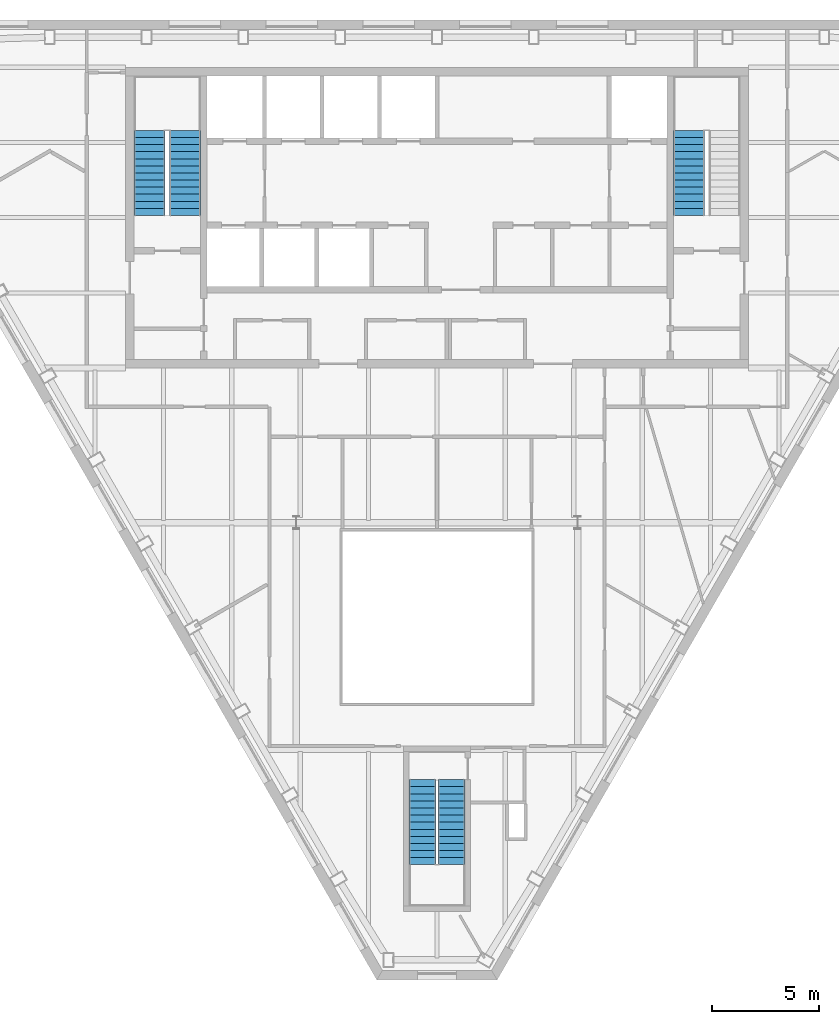
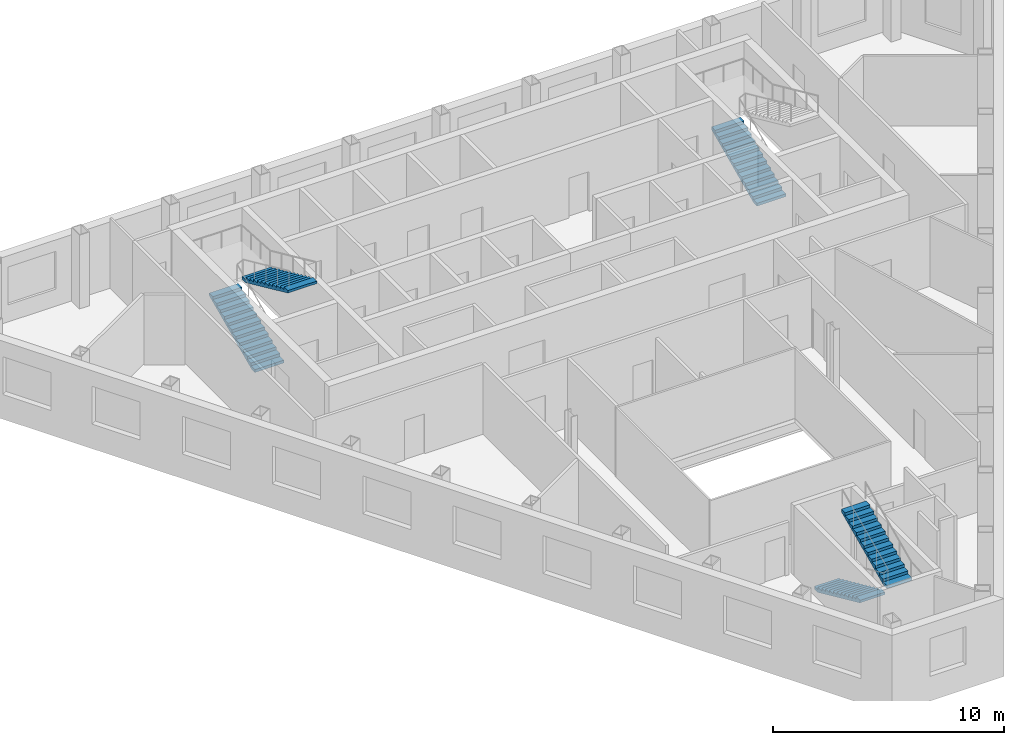
# One storey, part 8 of 10: 5 stair flights, 3 elements without a shape of their own.
"""IFC4 building model written with IfcOpenShell, lengths in metres."""

from ifc_helpers import new_model, si_unit, direction, frame, origin, place, context, subcontext, project, spatial, polygons, material, type_object, element, aggregate, save


model = new_model("IFC4")

# Units and contexts
model_context = context("Model", 3, precision=1e-05, world=origin(), true_north=direction((0.0, 1.0)))
body_context = subcontext(model_context, "Body", "Model", "MODEL_VIEW")
ifc_project = project(units=[si_unit("LENGTHUNIT", "METRE"), si_unit("AREAUNIT", "SQUARE_METRE"), si_unit("VOLUMEUNIT", "CUBIC_METRE"), si_unit("PLANEANGLEUNIT", "RADIAN"), si_unit("MASSUNIT", "GRAM", prefix="KILO")], contexts=[model_context])

# Site, building, storey
site_placement = place(None, origin())
site = spatial("IfcSite", under=ifc_project, at=site_placement, CompositionType="ELEMENT")
building_placement = place(site_placement, origin())
building = spatial("IfcBuilding", under=site, at=building_placement, Name="Njiva Tower", CompositionType="ELEMENT")
storey_placement = place(building_placement, frame((0.0, 0.0, 276.6)))
storey = spatial("IfcBuildingStorey", under=building, at=storey_placement, Name="L63", CompositionType="ELEMENT", Elevation=276.6)

# Stair, stair flights
ifc_material = material(Name="Concrete C40/50", Category="concrete")
stair_type_1 = type_object("IfcStairType", Name="ST1 Exit stair 1250", PredefinedType="HALF_TURN_STAIR", material=ifc_material)
stair_1_placement = place(storey_placement, origin())
stair_1 = element("IfcStair", 1, at=stair_1_placement, inside=storey, type_object=stair_type_1, Name="Stair C", PredefinedType="HALF_TURN_STAIR")
stair_flight_type_1 = type_object("IfcStairFlightType", Name="FL1 Stair flight 1250", PredefinedType="STRAIGHT", material=ifc_material)
stair_flight_1_placement = place(storey_placement, frame((-0.675, -15.16, 0.0), z_axis=(0.0, 0.0, 1.0), x_axis=(0.0, -1.0, 0.0)))
stair_flight_1 = element("IfcStairFlight", 2, at=stair_flight_1_placement, type_object=stair_flight_type_1, Name="ST-C flight 1", NumberOfRisers=13, NumberOfTreads=12, PredefinedType="STRAIGHT", RiserHeight=0.15, TreadLength=0.33, context=body_context, shape_type="Tessellation", body=[
    polygons([(0.0, 0.625, 0.0), (0.0, 0.3125, 0.0), (0.0, 0.0, 0.0), (0.0, -0.3125, 0.0), (0.0, -0.625, 0.0), (0.0, 0.625, 0.15), (0.0, 0.3125, 0.15), (0.0, 0.0, 0.15), (0.0, -0.3125, 0.15), (0.0, -0.625, 0.15), (0.33, 0.625, 0.15), (0.33, 0.3125, 0.15), (0.33, 0.0, 0.15), (0.33, -0.3125, 0.15), (0.33, -0.625, 0.15), (0.33, 0.625, 0.3), (0.33, 0.3125, 0.3), (0.33, 0.0, 0.3), (0.33, -0.3125, 0.3), (0.33, -0.625, 0.3), (0.66, 0.625, 0.3), (0.66, 0.3125, 0.3), (0.66, 0.0, 0.3), (0.66, -0.3125, 0.3), (0.66, -0.625, 0.3), (0.66, 0.625, 0.45), (0.66, 0.3125, 0.45), (0.66, 0.0, 0.45), (0.66, -0.3125, 0.45), (0.66, -0.625, 0.45), (0.99, 0.625, 0.45), (0.99, 0.3125, 0.45), (0.99, 0.0, 0.45), (0.99, -0.3125, 0.45), (0.99, -0.625, 0.45), (0.99, 0.625, 0.6), (0.99, 0.3125, 0.6), (0.99, 0.0, 0.6), (0.99, -0.3125, 0.6), (0.99, -0.625, 0.6), (1.32, 0.625, 0.6), (1.32, 0.3125, 0.6), (1.32, 0.0, 0.6), (1.32, -0.3125, 0.6), (1.32, -0.625, 0.6), (1.32, 0.625, 0.75), (1.32, 0.3125, 0.75), (1.32, 0.0, 0.75), (1.32, -0.3125, 0.75), (1.32, -0.625, 0.75), (1.65, 0.625, 0.75), (1.65, 0.3125, 0.75), (1.65, 0.0, 0.75), (1.65, -0.3125, 0.75), (1.65, -0.625, 0.75), (1.65, 0.625, 0.9), (1.65, 0.3125, 0.9), (1.65, 0.0, 0.9), (1.65, -0.3125, 0.9), (1.65, -0.625, 0.9), (1.98, 0.625, 0.9), (1.98, 0.3125, 0.9), (1.98, 0.0, 0.9), (1.98, -0.3125, 0.9), (1.98, -0.625, 0.9), (1.98, 0.625, 1.05), (1.98, 0.3125, 1.05), (1.98, 0.0, 1.05), (1.98, -0.3125, 1.05), (1.98, -0.625, 1.05), (2.31, 0.625, 1.05), (2.31, 0.3125, 1.05), (2.31, 0.0, 1.05), (2.31, -0.3125, 1.05), (2.31, -0.625, 1.05), (2.31, 0.625, 1.2), (2.31, 0.3125, 1.2), (2.31, 0.0, 1.2), (2.31, -0.3125, 1.2), (2.31, -0.625, 1.2), (2.64, 0.625, 1.2), (2.64, 0.3125, 1.2), (2.64, 0.0, 1.2), (2.64, -0.3125, 1.2), (2.64, -0.625, 1.2), (2.64, 0.625, 1.35), (2.64, 0.3125, 1.35), (2.64, 0.0, 1.35), (2.64, -0.3125, 1.35), (2.64, -0.625, 1.35), (2.97, 0.625, 1.35), (2.97, 0.3125, 1.35), (2.97, 0.0, 1.35), (2.97, -0.3125, 1.35), (2.97, -0.625, 1.35), (2.97, 0.625, 1.5), (2.97, 0.3125, 1.5), (2.97, 0.0, 1.5), (2.97, -0.3125, 1.5), (2.97, -0.625, 1.5), (3.3, 0.625, 1.5), (3.3, 0.3125, 1.5), (3.3, 0.0, 1.5), (3.3, -0.3125, 1.5), (3.3, -0.625, 1.5), (3.3, 0.625, 1.65), (3.3, 0.3125, 1.65), (3.3, 0.0, 1.65), (3.3, -0.3125, 1.65), (3.3, -0.625, 1.65), (3.63, 0.625, 1.65), (3.63, 0.3125, 1.65), (3.63, 0.0, 1.65), (3.63, -0.3125, 1.65), (3.63, -0.625, 1.65), (3.63, 0.625, 1.8), (3.63, 0.3125, 1.8), (3.63, 0.0, 1.8), (3.63, -0.3125, 1.8), (3.63, -0.625, 1.8), (3.96, 0.625, 1.8), (3.96, 0.3125, 1.8), (3.96, 0.0, 1.8), (3.96, -0.3125, 1.8), (3.96, -0.625, 1.8), (3.96, 0.625, 1.6682), (3.96, 0.3125, 1.6682), (3.96, 0.0, 1.6682), (3.96, -0.3125, 1.6682), (3.96, -0.625, 1.6682), (0.29, 0.625, 0.0), (0.29, 0.3125, 0.0), (0.29, 0.0, 0.0), (0.29, -0.3125, 0.0), (0.29, -0.625, 0.0)], [[[1, 6, 11, 16, 21, 26, 31, 36, 41, 46, 51, 56, 61, 66, 71, 76, 81, 86, 91, 96, 101, 106, 111, 116, 121, 126, 131]], [[135, 130, 125, 120, 115, 110, 105, 100, 95, 90, 85, 80, 75, 70, 65, 60, 55, 50, 45, 40, 35, 30, 25, 20, 15, 10, 5]], [[6, 1, 2, 7]], [[7, 2, 3, 8]], [[8, 3, 4, 9]], [[9, 4, 5, 10]], [[11, 6, 7, 12]], [[12, 7, 8, 13]], [[13, 8, 9, 14]], [[14, 9, 10, 15]], [[16, 11, 12, 17]], [[17, 12, 13, 18]], [[18, 13, 14, 19]], [[19, 14, 15, 20]], [[21, 16, 17, 22]], [[22, 17, 18, 23]], [[23, 18, 19, 24]], [[24, 19, 20, 25]], [[26, 21, 22, 27]], [[27, 22, 23, 28]], [[28, 23, 24, 29]], [[29, 24, 25, 30]], [[31, 26, 27, 32]], [[32, 27, 28, 33]], [[33, 28, 29, 34]], [[34, 29, 30, 35]], [[36, 31, 32, 37]], [[37, 32, 33, 38]], [[38, 33, 34, 39]], [[39, 34, 35, 40]], [[41, 36, 37, 42]], [[42, 37, 38, 43]], [[43, 38, 39, 44]], [[44, 39, 40, 45]], [[46, 41, 42, 47]], [[47, 42, 43, 48]], [[48, 43, 44, 49]], [[49, 44, 45, 50]], [[51, 46, 47, 52]], [[52, 47, 48, 53]], [[53, 48, 49, 54]], [[54, 49, 50, 55]], [[56, 51, 52, 57]], [[57, 52, 53, 58]], [[58, 53, 54, 59]], [[59, 54, 55, 60]], [[61, 56, 57, 62]], [[62, 57, 58, 63]], [[63, 58, 59, 64]], [[64, 59, 60, 65]], [[66, 61, 62, 67]], [[67, 62, 63, 68]], [[68, 63, 64, 69]], [[69, 64, 65, 70]], [[71, 66, 67, 72]], [[72, 67, 68, 73]], [[73, 68, 69, 74]], [[74, 69, 70, 75]], [[76, 71, 72, 77]], [[77, 72, 73, 78]], [[78, 73, 74, 79]], [[79, 74, 75, 80]], [[81, 76, 77, 82]], [[82, 77, 78, 83]], [[83, 78, 79, 84]], [[84, 79, 80, 85]], [[86, 81, 82, 87]], [[87, 82, 83, 88]], [[88, 83, 84, 89]], [[89, 84, 85, 90]], [[91, 86, 87, 92]], [[92, 87, 88, 93]], [[93, 88, 89, 94]], [[94, 89, 90, 95]], [[96, 91, 92, 97]], [[97, 92, 93, 98]], [[98, 93, 94, 99]], [[99, 94, 95, 100]], [[101, 96, 97, 102]], [[102, 97, 98, 103]], [[103, 98, 99, 104]], [[104, 99, 100, 105]], [[106, 101, 102, 107]], [[107, 102, 103, 108]], [[108, 103, 104, 109]], [[109, 104, 105, 110]], [[111, 106, 107, 112]], [[112, 107, 108, 113]], [[113, 108, 109, 114]], [[114, 109, 110, 115]], [[116, 111, 112, 117]], [[117, 112, 113, 118]], [[118, 113, 114, 119]], [[119, 114, 115, 120]], [[121, 116, 117, 122]], [[122, 117, 118, 123]], [[123, 118, 119, 124]], [[124, 119, 120, 125]], [[126, 121, 122, 127]], [[127, 122, 123, 128]], [[128, 123, 124, 129]], [[129, 124, 125, 130]], [[131, 126, 127, 132]], [[132, 127, 128, 133]], [[133, 128, 129, 134]], [[134, 129, 130, 135]], [[1, 131, 132, 2]], [[2, 132, 133, 3]], [[3, 133, 134, 4]], [[4, 134, 135, 5]]], closed=True),
])
stair_flight_2_placement = place(storey_placement, frame((0.675, -19.12, 1.95), z_axis=(0.0, 0.0, 1.0), x_axis=(0.0, 1.0, 0.0)))
stair_flight_2 = element("IfcStairFlight", 3, at=stair_flight_2_placement, type_object=stair_flight_type_1, Name="ST-C flight 2", NumberOfRisers=13, NumberOfTreads=12, PredefinedType="STRAIGHT", RiserHeight=0.15, TreadLength=0.33, context=body_context, shape_type="Tessellation", body=[
    polygons([(0.0, 0.625, 0.0), (0.0, 0.3125, 0.0), (0.0, 0.0, 0.0), (0.0, -0.3125, 0.0), (0.0, -0.625, 0.0), (0.0, 0.625, 0.15), (0.0, 0.3125, 0.15), (0.0, 0.0, 0.15), (0.0, -0.3125, 0.15), (0.0, -0.625, 0.15), (0.33, 0.625, 0.15), (0.33, 0.3125, 0.15), (0.33, 0.0, 0.15), (0.33, -0.3125, 0.15), (0.33, -0.625, 0.15), (0.33, 0.625, 0.3), (0.33, 0.3125, 0.3), (0.33, 0.0, 0.3), (0.33, -0.3125, 0.3), (0.33, -0.625, 0.3), (0.66, 0.625, 0.3), (0.66, 0.3125, 0.3), (0.66, 0.0, 0.3), (0.66, -0.3125, 0.3), (0.66, -0.625, 0.3), (0.66, 0.625, 0.45), (0.66, 0.3125, 0.45), (0.66, 0.0, 0.45), (0.66, -0.3125, 0.45), (0.66, -0.625, 0.45), (0.99, 0.625, 0.45), (0.99, 0.3125, 0.45), (0.99, 0.0, 0.45), (0.99, -0.3125, 0.45), (0.99, -0.625, 0.45), (0.99, 0.625, 0.6), (0.99, 0.3125, 0.6), (0.99, 0.0, 0.6), (0.99, -0.3125, 0.6), (0.99, -0.625, 0.6), (1.32, 0.625, 0.6), (1.32, 0.3125, 0.6), (1.32, 0.0, 0.6), (1.32, -0.3125, 0.6), (1.32, -0.625, 0.6), (1.32, 0.625, 0.75), (1.32, 0.3125, 0.75), (1.32, 0.0, 0.75), (1.32, -0.3125, 0.75), (1.32, -0.625, 0.75), (1.65, 0.625, 0.75), (1.65, 0.3125, 0.75), (1.65, 0.0, 0.75), (1.65, -0.3125, 0.75), (1.65, -0.625, 0.75), (1.65, 0.625, 0.9), (1.65, 0.3125, 0.9), (1.65, 0.0, 0.9), (1.65, -0.3125, 0.9), (1.65, -0.625, 0.9), (1.98, 0.625, 0.9), (1.98, 0.3125, 0.9), (1.98, 0.0, 0.9), (1.98, -0.3125, 0.9), (1.98, -0.625, 0.9), (1.98, 0.625, 1.05), (1.98, 0.3125, 1.05), (1.98, 0.0, 1.05), (1.98, -0.3125, 1.05), (1.98, -0.625, 1.05), (2.31, 0.625, 1.05), (2.31, 0.3125, 1.05), (2.31, 0.0, 1.05), (2.31, -0.3125, 1.05), (2.31, -0.625, 1.05), (2.31, 0.625, 1.2), (2.31, 0.3125, 1.2), (2.31, 0.0, 1.2), (2.31, -0.3125, 1.2), (2.31, -0.625, 1.2), (2.64, 0.625, 1.2), (2.64, 0.3125, 1.2), (2.64, 0.0, 1.2), (2.64, -0.3125, 1.2), (2.64, -0.625, 1.2), (2.64, 0.625, 1.35), (2.64, 0.3125, 1.35), (2.64, 0.0, 1.35), (2.64, -0.3125, 1.35), (2.64, -0.625, 1.35), (2.97, 0.625, 1.35), (2.97, 0.3125, 1.35), (2.97, 0.0, 1.35), (2.97, -0.3125, 1.35), (2.97, -0.625, 1.35), (2.97, 0.625, 1.5), (2.97, 0.3125, 1.5), (2.97, 0.0, 1.5), (2.97, -0.3125, 1.5), (2.97, -0.625, 1.5), (3.3, 0.625, 1.5), (3.3, 0.3125, 1.5), (3.3, 0.0, 1.5), (3.3, -0.3125, 1.5), (3.3, -0.625, 1.5), (3.3, 0.625, 1.65), (3.3, 0.3125, 1.65), (3.3, 0.0, 1.65), (3.3, -0.3125, 1.65), (3.3, -0.625, 1.65), (3.63, 0.625, 1.65), (3.63, 0.3125, 1.65), (3.63, 0.0, 1.65), (3.63, -0.3125, 1.65), (3.63, -0.625, 1.65), (3.63, 0.625, 1.8), (3.63, 0.3125, 1.8), (3.63, 0.0, 1.8), (3.63, -0.3125, 1.8), (3.63, -0.625, 1.8), (3.96, 0.625, 1.8), (3.96, 0.3125, 1.8), (3.96, 0.0, 1.8), (3.96, -0.3125, 1.8), (3.96, -0.625, 1.8), (3.96, 0.625, 1.6682), (3.96, 0.3125, 1.6682), (3.96, 0.0, 1.6682), (3.96, -0.3125, 1.6682), (3.96, -0.625, 1.6682), (0.29, 0.625, 0.0), (0.29, 0.3125, 0.0), (0.29, 0.0, 0.0), (0.29, -0.3125, 0.0), (0.29, -0.625, 0.0)], [[[1, 6, 11, 16, 21, 26, 31, 36, 41, 46, 51, 56, 61, 66, 71, 76, 81, 86, 91, 96, 101, 106, 111, 116, 121, 126, 131]], [[135, 130, 125, 120, 115, 110, 105, 100, 95, 90, 85, 80, 75, 70, 65, 60, 55, 50, 45, 40, 35, 30, 25, 20, 15, 10, 5]], [[6, 1, 2, 7]], [[7, 2, 3, 8]], [[8, 3, 4, 9]], [[9, 4, 5, 10]], [[11, 6, 7, 12]], [[12, 7, 8, 13]], [[13, 8, 9, 14]], [[14, 9, 10, 15]], [[16, 11, 12, 17]], [[17, 12, 13, 18]], [[18, 13, 14, 19]], [[19, 14, 15, 20]], [[21, 16, 17, 22]], [[22, 17, 18, 23]], [[23, 18, 19, 24]], [[24, 19, 20, 25]], [[26, 21, 22, 27]], [[27, 22, 23, 28]], [[28, 23, 24, 29]], [[29, 24, 25, 30]], [[31, 26, 27, 32]], [[32, 27, 28, 33]], [[33, 28, 29, 34]], [[34, 29, 30, 35]], [[36, 31, 32, 37]], [[37, 32, 33, 38]], [[38, 33, 34, 39]], [[39, 34, 35, 40]], [[41, 36, 37, 42]], [[42, 37, 38, 43]], [[43, 38, 39, 44]], [[44, 39, 40, 45]], [[46, 41, 42, 47]], [[47, 42, 43, 48]], [[48, 43, 44, 49]], [[49, 44, 45, 50]], [[51, 46, 47, 52]], [[52, 47, 48, 53]], [[53, 48, 49, 54]], [[54, 49, 50, 55]], [[56, 51, 52, 57]], [[57, 52, 53, 58]], [[58, 53, 54, 59]], [[59, 54, 55, 60]], [[61, 56, 57, 62]], [[62, 57, 58, 63]], [[63, 58, 59, 64]], [[64, 59, 60, 65]], [[66, 61, 62, 67]], [[67, 62, 63, 68]], [[68, 63, 64, 69]], [[69, 64, 65, 70]], [[71, 66, 67, 72]], [[72, 67, 68, 73]], [[73, 68, 69, 74]], [[74, 69, 70, 75]], [[76, 71, 72, 77]], [[77, 72, 73, 78]], [[78, 73, 74, 79]], [[79, 74, 75, 80]], [[81, 76, 77, 82]], [[82, 77, 78, 83]], [[83, 78, 79, 84]], [[84, 79, 80, 85]], [[86, 81, 82, 87]], [[87, 82, 83, 88]], [[88, 83, 84, 89]], [[89, 84, 85, 90]], [[91, 86, 87, 92]], [[92, 87, 88, 93]], [[93, 88, 89, 94]], [[94, 89, 90, 95]], [[96, 91, 92, 97]], [[97, 92, 93, 98]], [[98, 93, 94, 99]], [[99, 94, 95, 100]], [[101, 96, 97, 102]], [[102, 97, 98, 103]], [[103, 98, 99, 104]], [[104, 99, 100, 105]], [[106, 101, 102, 107]], [[107, 102, 103, 108]], [[108, 103, 104, 109]], [[109, 104, 105, 110]], [[111, 106, 107, 112]], [[112, 107, 108, 113]], [[113, 108, 109, 114]], [[114, 109, 110, 115]], [[116, 111, 112, 117]], [[117, 112, 113, 118]], [[118, 113, 114, 119]], [[119, 114, 115, 120]], [[121, 116, 117, 122]], [[122, 117, 118, 123]], [[123, 118, 119, 124]], [[124, 119, 120, 125]], [[126, 121, 122, 127]], [[127, 122, 123, 128]], [[128, 123, 124, 129]], [[129, 124, 125, 130]], [[131, 126, 127, 132]], [[132, 127, 128, 133]], [[133, 128, 129, 134]], [[134, 129, 130, 135]], [[1, 131, 132, 2]], [[2, 132, 133, 3]], [[3, 133, 134, 4]], [[4, 134, 135, 5]]], closed=True),
])
aggregate(stair_1, [stair_flight_1, stair_flight_2])

stair_type_2 = type_object("IfcStairType", Name="ST3 Exit stair 1450", PredefinedType="HALF_TURN_STAIR", material=ifc_material)
stair_2_placement = place(storey_placement, origin())
stair_2 = element("IfcStair", 4, at=stair_2_placement, inside=storey, type_object=stair_type_2, Name="Stair A", PredefinedType="HALF_TURN_STAIR")
stair_flight_type_2 = type_object("IfcStairFlightType", Name="FL3 Stair flight 1450", PredefinedType="STRAIGHT", material=ifc_material)
stair_flight_3_placement = place(storey_placement, frame((-13.375, 11.1, 0.0), z_axis=(0.0, 0.0, 1.0), x_axis=(0.0, 1.0, 0.0)))
stair_flight_3 = element("IfcStairFlight", 5, at=stair_flight_3_placement, type_object=stair_flight_type_2, Name="ST-A flight 1", NumberOfRisers=13, NumberOfTreads=12, PredefinedType="STRAIGHT", RiserHeight=0.15, TreadLength=0.33, context=body_context, shape_type="Tessellation", body=[
    polygons([(0.0, 0.725, 0.0), (0.0, 0.3625, 0.0), (0.0, 0.0, 0.0), (0.0, -0.3625, 0.0), (0.0, -0.725, 0.0), (0.0, 0.725, 0.15), (0.0, 0.3625, 0.15), (0.0, 0.0, 0.15), (0.0, -0.3625, 0.15), (0.0, -0.725, 0.15), (0.33, 0.725, 0.15), (0.33, 0.3625, 0.15), (0.33, 0.0, 0.15), (0.33, -0.3625, 0.15), (0.33, -0.725, 0.15), (0.33, 0.725, 0.3), (0.33, 0.3625, 0.3), (0.33, 0.0, 0.3), (0.33, -0.3625, 0.3), (0.33, -0.725, 0.3), (0.66, 0.725, 0.3), (0.66, 0.3625, 0.3), (0.66, 0.0, 0.3), (0.66, -0.3625, 0.3), (0.66, -0.725, 0.3), (0.66, 0.725, 0.45), (0.66, 0.3625, 0.45), (0.66, 0.0, 0.45), (0.66, -0.3625, 0.45), (0.66, -0.725, 0.45), (0.99, 0.725, 0.45), (0.99, 0.3625, 0.45), (0.99, 0.0, 0.45), (0.99, -0.3625, 0.45), (0.99, -0.725, 0.45), (0.99, 0.725, 0.6), (0.99, 0.3625, 0.6), (0.99, 0.0, 0.6), (0.99, -0.3625, 0.6), (0.99, -0.725, 0.6), (1.32, 0.725, 0.6), (1.32, 0.3625, 0.6), (1.32, 0.0, 0.6), (1.32, -0.3625, 0.6), (1.32, -0.725, 0.6), (1.32, 0.725, 0.75), (1.32, 0.3625, 0.75), (1.32, 0.0, 0.75), (1.32, -0.3625, 0.75), (1.32, -0.725, 0.75), (1.65, 0.725, 0.75), (1.65, 0.3625, 0.75), (1.65, 0.0, 0.75), (1.65, -0.3625, 0.75), (1.65, -0.725, 0.75), (1.65, 0.725, 0.9), (1.65, 0.3625, 0.9), (1.65, 0.0, 0.9), (1.65, -0.3625, 0.9), (1.65, -0.725, 0.9), (1.98, 0.725, 0.9), (1.98, 0.3625, 0.9), (1.98, 0.0, 0.9), (1.98, -0.3625, 0.9), (1.98, -0.725, 0.9), (1.98, 0.725, 1.05), (1.98, 0.3625, 1.05), (1.98, 0.0, 1.05), (1.98, -0.3625, 1.05), (1.98, -0.725, 1.05), (2.31, 0.725, 1.05), (2.31, 0.3625, 1.05), (2.31, 0.0, 1.05), (2.31, -0.3625, 1.05), (2.31, -0.725, 1.05), (2.31, 0.725, 1.2), (2.31, 0.3625, 1.2), (2.31, 0.0, 1.2), (2.31, -0.3625, 1.2), (2.31, -0.725, 1.2), (2.64, 0.725, 1.2), (2.64, 0.3625, 1.2), (2.64, 0.0, 1.2), (2.64, -0.3625, 1.2), (2.64, -0.725, 1.2), (2.64, 0.725, 1.35), (2.64, 0.3625, 1.35), (2.64, 0.0, 1.35), (2.64, -0.3625, 1.35), (2.64, -0.725, 1.35), (2.97, 0.725, 1.35), (2.97, 0.3625, 1.35), (2.97, 0.0, 1.35), (2.97, -0.3625, 1.35), (2.97, -0.725, 1.35), (2.97, 0.725, 1.5), (2.97, 0.3625, 1.5), (2.97, 0.0, 1.5), (2.97, -0.3625, 1.5), (2.97, -0.725, 1.5), (3.3, 0.725, 1.5), (3.3, 0.3625, 1.5), (3.3, 0.0, 1.5), (3.3, -0.3625, 1.5), (3.3, -0.725, 1.5), (3.3, 0.725, 1.65), (3.3, 0.3625, 1.65), (3.3, 0.0, 1.65), (3.3, -0.3625, 1.65), (3.3, -0.725, 1.65), (3.63, 0.725, 1.65), (3.63, 0.3625, 1.65), (3.63, 0.0, 1.65), (3.63, -0.3625, 1.65), (3.63, -0.725, 1.65), (3.63, 0.725, 1.8), (3.63, 0.3625, 1.8), (3.63, 0.0, 1.8), (3.63, -0.3625, 1.8), (3.63, -0.725, 1.8), (3.96, 0.725, 1.8), (3.96, 0.3625, 1.8), (3.96, 0.0, 1.8), (3.96, -0.3625, 1.8), (3.96, -0.725, 1.8), (3.96, 0.725, 1.6682), (3.96, 0.3625, 1.6682), (3.96, 0.0, 1.6682), (3.96, -0.3625, 1.6682), (3.96, -0.725, 1.6682), (0.29, 0.725, 0.0), (0.29, 0.3625, 0.0), (0.29, 0.0, 0.0), (0.29, -0.3625, 0.0), (0.29, -0.725, 0.0)], [[[1, 6, 11, 16, 21, 26, 31, 36, 41, 46, 51, 56, 61, 66, 71, 76, 81, 86, 91, 96, 101, 106, 111, 116, 121, 126, 131]], [[135, 130, 125, 120, 115, 110, 105, 100, 95, 90, 85, 80, 75, 70, 65, 60, 55, 50, 45, 40, 35, 30, 25, 20, 15, 10, 5]], [[6, 1, 2, 7]], [[7, 2, 3, 8]], [[8, 3, 4, 9]], [[9, 4, 5, 10]], [[11, 6, 7, 12]], [[12, 7, 8, 13]], [[13, 8, 9, 14]], [[14, 9, 10, 15]], [[16, 11, 12, 17]], [[17, 12, 13, 18]], [[18, 13, 14, 19]], [[19, 14, 15, 20]], [[21, 16, 17, 22]], [[22, 17, 18, 23]], [[23, 18, 19, 24]], [[24, 19, 20, 25]], [[26, 21, 22, 27]], [[27, 22, 23, 28]], [[28, 23, 24, 29]], [[29, 24, 25, 30]], [[31, 26, 27, 32]], [[32, 27, 28, 33]], [[33, 28, 29, 34]], [[34, 29, 30, 35]], [[36, 31, 32, 37]], [[37, 32, 33, 38]], [[38, 33, 34, 39]], [[39, 34, 35, 40]], [[41, 36, 37, 42]], [[42, 37, 38, 43]], [[43, 38, 39, 44]], [[44, 39, 40, 45]], [[46, 41, 42, 47]], [[47, 42, 43, 48]], [[48, 43, 44, 49]], [[49, 44, 45, 50]], [[51, 46, 47, 52]], [[52, 47, 48, 53]], [[53, 48, 49, 54]], [[54, 49, 50, 55]], [[56, 51, 52, 57]], [[57, 52, 53, 58]], [[58, 53, 54, 59]], [[59, 54, 55, 60]], [[61, 56, 57, 62]], [[62, 57, 58, 63]], [[63, 58, 59, 64]], [[64, 59, 60, 65]], [[66, 61, 62, 67]], [[67, 62, 63, 68]], [[68, 63, 64, 69]], [[69, 64, 65, 70]], [[71, 66, 67, 72]], [[72, 67, 68, 73]], [[73, 68, 69, 74]], [[74, 69, 70, 75]], [[76, 71, 72, 77]], [[77, 72, 73, 78]], [[78, 73, 74, 79]], [[79, 74, 75, 80]], [[81, 76, 77, 82]], [[82, 77, 78, 83]], [[83, 78, 79, 84]], [[84, 79, 80, 85]], [[86, 81, 82, 87]], [[87, 82, 83, 88]], [[88, 83, 84, 89]], [[89, 84, 85, 90]], [[91, 86, 87, 92]], [[92, 87, 88, 93]], [[93, 88, 89, 94]], [[94, 89, 90, 95]], [[96, 91, 92, 97]], [[97, 92, 93, 98]], [[98, 93, 94, 99]], [[99, 94, 95, 100]], [[101, 96, 97, 102]], [[102, 97, 98, 103]], [[103, 98, 99, 104]], [[104, 99, 100, 105]], [[106, 101, 102, 107]], [[107, 102, 103, 108]], [[108, 103, 104, 109]], [[109, 104, 105, 110]], [[111, 106, 107, 112]], [[112, 107, 108, 113]], [[113, 108, 109, 114]], [[114, 109, 110, 115]], [[116, 111, 112, 117]], [[117, 112, 113, 118]], [[118, 113, 114, 119]], [[119, 114, 115, 120]], [[121, 116, 117, 122]], [[122, 117, 118, 123]], [[123, 118, 119, 124]], [[124, 119, 120, 125]], [[126, 121, 122, 127]], [[127, 122, 123, 128]], [[128, 123, 124, 129]], [[129, 124, 125, 130]], [[131, 126, 127, 132]], [[132, 127, 128, 133]], [[133, 128, 129, 134]], [[134, 129, 130, 135]], [[1, 131, 132, 2]], [[2, 132, 133, 3]], [[3, 133, 134, 4]], [[4, 134, 135, 5]]], closed=True),
])
stair_flight_4_placement = place(storey_placement, frame((-11.725, 15.06, 1.95), z_axis=(0.0, 0.0, 1.0), x_axis=(0.0, -1.0, 0.0)))
stair_flight_4 = element("IfcStairFlight", 6, at=stair_flight_4_placement, type_object=stair_flight_type_2, Name="ST-A flight 2", NumberOfRisers=13, NumberOfTreads=12, PredefinedType="STRAIGHT", RiserHeight=0.15, TreadLength=0.33, context=body_context, shape_type="Tessellation", body=[
    polygons([(0.0, 0.725, 0.0), (0.0, 0.3625, 0.0), (0.0, 0.0, 0.0), (0.0, -0.3625, 0.0), (0.0, -0.725, 0.0), (0.0, 0.725, 0.15), (0.0, 0.3625, 0.15), (0.0, 0.0, 0.15), (0.0, -0.3625, 0.15), (0.0, -0.725, 0.15), (0.33, 0.725, 0.15), (0.33, 0.3625, 0.15), (0.33, 0.0, 0.15), (0.33, -0.3625, 0.15), (0.33, -0.725, 0.15), (0.33, 0.725, 0.3), (0.33, 0.3625, 0.3), (0.33, 0.0, 0.3), (0.33, -0.3625, 0.3), (0.33, -0.725, 0.3), (0.66, 0.725, 0.3), (0.66, 0.3625, 0.3), (0.66, 0.0, 0.3), (0.66, -0.3625, 0.3), (0.66, -0.725, 0.3), (0.66, 0.725, 0.45), (0.66, 0.3625, 0.45), (0.66, 0.0, 0.45), (0.66, -0.3625, 0.45), (0.66, -0.725, 0.45), (0.99, 0.725, 0.45), (0.99, 0.3625, 0.45), (0.99, 0.0, 0.45), (0.99, -0.3625, 0.45), (0.99, -0.725, 0.45), (0.99, 0.725, 0.6), (0.99, 0.3625, 0.6), (0.99, 0.0, 0.6), (0.99, -0.3625, 0.6), (0.99, -0.725, 0.6), (1.32, 0.725, 0.6), (1.32, 0.3625, 0.6), (1.32, 0.0, 0.6), (1.32, -0.3625, 0.6), (1.32, -0.725, 0.6), (1.32, 0.725, 0.75), (1.32, 0.3625, 0.75), (1.32, 0.0, 0.75), (1.32, -0.3625, 0.75), (1.32, -0.725, 0.75), (1.65, 0.725, 0.75), (1.65, 0.3625, 0.75), (1.65, 0.0, 0.75), (1.65, -0.3625, 0.75), (1.65, -0.725, 0.75), (1.65, 0.725, 0.9), (1.65, 0.3625, 0.9), (1.65, 0.0, 0.9), (1.65, -0.3625, 0.9), (1.65, -0.725, 0.9), (1.98, 0.725, 0.9), (1.98, 0.3625, 0.9), (1.98, 0.0, 0.9), (1.98, -0.3625, 0.9), (1.98, -0.725, 0.9), (1.98, 0.725, 1.05), (1.98, 0.3625, 1.05), (1.98, 0.0, 1.05), (1.98, -0.3625, 1.05), (1.98, -0.725, 1.05), (2.31, 0.725, 1.05), (2.31, 0.3625, 1.05), (2.31, 0.0, 1.05), (2.31, -0.3625, 1.05), (2.31, -0.725, 1.05), (2.31, 0.725, 1.2), (2.31, 0.3625, 1.2), (2.31, 0.0, 1.2), (2.31, -0.3625, 1.2), (2.31, -0.725, 1.2), (2.64, 0.725, 1.2), (2.64, 0.3625, 1.2), (2.64, 0.0, 1.2), (2.64, -0.3625, 1.2), (2.64, -0.725, 1.2), (2.64, 0.725, 1.35), (2.64, 0.3625, 1.35), (2.64, 0.0, 1.35), (2.64, -0.3625, 1.35), (2.64, -0.725, 1.35), (2.97, 0.725, 1.35), (2.97, 0.3625, 1.35), (2.97, 0.0, 1.35), (2.97, -0.3625, 1.35), (2.97, -0.725, 1.35), (2.97, 0.725, 1.5), (2.97, 0.3625, 1.5), (2.97, 0.0, 1.5), (2.97, -0.3625, 1.5), (2.97, -0.725, 1.5), (3.3, 0.725, 1.5), (3.3, 0.3625, 1.5), (3.3, 0.0, 1.5), (3.3, -0.3625, 1.5), (3.3, -0.725, 1.5), (3.3, 0.725, 1.65), (3.3, 0.3625, 1.65), (3.3, 0.0, 1.65), (3.3, -0.3625, 1.65), (3.3, -0.725, 1.65), (3.63, 0.725, 1.65), (3.63, 0.3625, 1.65), (3.63, 0.0, 1.65), (3.63, -0.3625, 1.65), (3.63, -0.725, 1.65), (3.63, 0.725, 1.8), (3.63, 0.3625, 1.8), (3.63, 0.0, 1.8), (3.63, -0.3625, 1.8), (3.63, -0.725, 1.8), (3.96, 0.725, 1.8), (3.96, 0.3625, 1.8), (3.96, 0.0, 1.8), (3.96, -0.3625, 1.8), (3.96, -0.725, 1.8), (3.96, 0.725, 1.6682), (3.96, 0.3625, 1.6682), (3.96, 0.0, 1.6682), (3.96, -0.3625, 1.6682), (3.96, -0.725, 1.6682), (0.29, 0.725, 0.0), (0.29, 0.3625, 0.0), (0.29, 0.0, 0.0), (0.29, -0.3625, 0.0), (0.29, -0.725, 0.0)], [[[1, 6, 11, 16, 21, 26, 31, 36, 41, 46, 51, 56, 61, 66, 71, 76, 81, 86, 91, 96, 101, 106, 111, 116, 121, 126, 131]], [[135, 130, 125, 120, 115, 110, 105, 100, 95, 90, 85, 80, 75, 70, 65, 60, 55, 50, 45, 40, 35, 30, 25, 20, 15, 10, 5]], [[6, 1, 2, 7]], [[7, 2, 3, 8]], [[8, 3, 4, 9]], [[9, 4, 5, 10]], [[11, 6, 7, 12]], [[12, 7, 8, 13]], [[13, 8, 9, 14]], [[14, 9, 10, 15]], [[16, 11, 12, 17]], [[17, 12, 13, 18]], [[18, 13, 14, 19]], [[19, 14, 15, 20]], [[21, 16, 17, 22]], [[22, 17, 18, 23]], [[23, 18, 19, 24]], [[24, 19, 20, 25]], [[26, 21, 22, 27]], [[27, 22, 23, 28]], [[28, 23, 24, 29]], [[29, 24, 25, 30]], [[31, 26, 27, 32]], [[32, 27, 28, 33]], [[33, 28, 29, 34]], [[34, 29, 30, 35]], [[36, 31, 32, 37]], [[37, 32, 33, 38]], [[38, 33, 34, 39]], [[39, 34, 35, 40]], [[41, 36, 37, 42]], [[42, 37, 38, 43]], [[43, 38, 39, 44]], [[44, 39, 40, 45]], [[46, 41, 42, 47]], [[47, 42, 43, 48]], [[48, 43, 44, 49]], [[49, 44, 45, 50]], [[51, 46, 47, 52]], [[52, 47, 48, 53]], [[53, 48, 49, 54]], [[54, 49, 50, 55]], [[56, 51, 52, 57]], [[57, 52, 53, 58]], [[58, 53, 54, 59]], [[59, 54, 55, 60]], [[61, 56, 57, 62]], [[62, 57, 58, 63]], [[63, 58, 59, 64]], [[64, 59, 60, 65]], [[66, 61, 62, 67]], [[67, 62, 63, 68]], [[68, 63, 64, 69]], [[69, 64, 65, 70]], [[71, 66, 67, 72]], [[72, 67, 68, 73]], [[73, 68, 69, 74]], [[74, 69, 70, 75]], [[76, 71, 72, 77]], [[77, 72, 73, 78]], [[78, 73, 74, 79]], [[79, 74, 75, 80]], [[81, 76, 77, 82]], [[82, 77, 78, 83]], [[83, 78, 79, 84]], [[84, 79, 80, 85]], [[86, 81, 82, 87]], [[87, 82, 83, 88]], [[88, 83, 84, 89]], [[89, 84, 85, 90]], [[91, 86, 87, 92]], [[92, 87, 88, 93]], [[93, 88, 89, 94]], [[94, 89, 90, 95]], [[96, 91, 92, 97]], [[97, 92, 93, 98]], [[98, 93, 94, 99]], [[99, 94, 95, 100]], [[101, 96, 97, 102]], [[102, 97, 98, 103]], [[103, 98, 99, 104]], [[104, 99, 100, 105]], [[106, 101, 102, 107]], [[107, 102, 103, 108]], [[108, 103, 104, 109]], [[109, 104, 105, 110]], [[111, 106, 107, 112]], [[112, 107, 108, 113]], [[113, 108, 109, 114]], [[114, 109, 110, 115]], [[116, 111, 112, 117]], [[117, 112, 113, 118]], [[118, 113, 114, 119]], [[119, 114, 115, 120]], [[121, 116, 117, 122]], [[122, 117, 118, 123]], [[123, 118, 119, 124]], [[124, 119, 120, 125]], [[126, 121, 122, 127]], [[127, 122, 123, 128]], [[128, 123, 124, 129]], [[129, 124, 125, 130]], [[131, 126, 127, 132]], [[132, 127, 128, 133]], [[133, 128, 129, 134]], [[134, 129, 130, 135]], [[1, 131, 132, 2]], [[2, 132, 133, 3]], [[3, 133, 134, 4]], [[4, 134, 135, 5]]], closed=True),
])
aggregate(stair_2, [stair_flight_3, stair_flight_4])

# Stair, stair flight
stair_3_placement = place(storey_placement, origin())
stair_3 = element("IfcStair", 7, at=stair_3_placement, inside=storey, type_object=stair_type_2, Name="Stair B", PredefinedType="HALF_TURN_STAIR")
stair_flight_5_placement = place(storey_placement, frame((11.725, 11.1, 0.0), z_axis=(0.0, 0.0, 1.0), x_axis=(0.0, 1.0, 0.0)))
stair_flight_5 = element("IfcStairFlight", 8, at=stair_flight_5_placement, type_object=stair_flight_type_2, Name="ST-B flight 1", NumberOfRisers=13, NumberOfTreads=12, PredefinedType="STRAIGHT", RiserHeight=0.15, TreadLength=0.33, context=body_context, shape_type="Tessellation", body=[
    polygons([(0.0, 0.725, 0.0), (0.0, 0.3625, 0.0), (0.0, 0.0, 0.0), (0.0, -0.3625, 0.0), (0.0, -0.725, 0.0), (0.0, 0.725, 0.15), (0.0, 0.3625, 0.15), (0.0, 0.0, 0.15), (0.0, -0.3625, 0.15), (0.0, -0.725, 0.15), (0.33, 0.725, 0.15), (0.33, 0.3625, 0.15), (0.33, 0.0, 0.15), (0.33, -0.3625, 0.15), (0.33, -0.725, 0.15), (0.33, 0.725, 0.3), (0.33, 0.3625, 0.3), (0.33, 0.0, 0.3), (0.33, -0.3625, 0.3), (0.33, -0.725, 0.3), (0.66, 0.725, 0.3), (0.66, 0.3625, 0.3), (0.66, 0.0, 0.3), (0.66, -0.3625, 0.3), (0.66, -0.725, 0.3), (0.66, 0.725, 0.45), (0.66, 0.3625, 0.45), (0.66, 0.0, 0.45), (0.66, -0.3625, 0.45), (0.66, -0.725, 0.45), (0.99, 0.725, 0.45), (0.99, 0.3625, 0.45), (0.99, 0.0, 0.45), (0.99, -0.3625, 0.45), (0.99, -0.725, 0.45), (0.99, 0.725, 0.6), (0.99, 0.3625, 0.6), (0.99, 0.0, 0.6), (0.99, -0.3625, 0.6), (0.99, -0.725, 0.6), (1.32, 0.725, 0.6), (1.32, 0.3625, 0.6), (1.32, 0.0, 0.6), (1.32, -0.3625, 0.6), (1.32, -0.725, 0.6), (1.32, 0.725, 0.75), (1.32, 0.3625, 0.75), (1.32, 0.0, 0.75), (1.32, -0.3625, 0.75), (1.32, -0.725, 0.75), (1.65, 0.725, 0.75), (1.65, 0.3625, 0.75), (1.65, 0.0, 0.75), (1.65, -0.3625, 0.75), (1.65, -0.725, 0.75), (1.65, 0.725, 0.9), (1.65, 0.3625, 0.9), (1.65, 0.0, 0.9), (1.65, -0.3625, 0.9), (1.65, -0.725, 0.9), (1.98, 0.725, 0.9), (1.98, 0.3625, 0.9), (1.98, 0.0, 0.9), (1.98, -0.3625, 0.9), (1.98, -0.725, 0.9), (1.98, 0.725, 1.05), (1.98, 0.3625, 1.05), (1.98, 0.0, 1.05), (1.98, -0.3625, 1.05), (1.98, -0.725, 1.05), (2.31, 0.725, 1.05), (2.31, 0.3625, 1.05), (2.31, 0.0, 1.05), (2.31, -0.3625, 1.05), (2.31, -0.725, 1.05), (2.31, 0.725, 1.2), (2.31, 0.3625, 1.2), (2.31, 0.0, 1.2), (2.31, -0.3625, 1.2), (2.31, -0.725, 1.2), (2.64, 0.725, 1.2), (2.64, 0.3625, 1.2), (2.64, 0.0, 1.2), (2.64, -0.3625, 1.2), (2.64, -0.725, 1.2), (2.64, 0.725, 1.35), (2.64, 0.3625, 1.35), (2.64, 0.0, 1.35), (2.64, -0.3625, 1.35), (2.64, -0.725, 1.35), (2.97, 0.725, 1.35), (2.97, 0.3625, 1.35), (2.97, 0.0, 1.35), (2.97, -0.3625, 1.35), (2.97, -0.725, 1.35), (2.97, 0.725, 1.5), (2.97, 0.3625, 1.5), (2.97, 0.0, 1.5), (2.97, -0.3625, 1.5), (2.97, -0.725, 1.5), (3.3, 0.725, 1.5), (3.3, 0.3625, 1.5), (3.3, 0.0, 1.5), (3.3, -0.3625, 1.5), (3.3, -0.725, 1.5), (3.3, 0.725, 1.65), (3.3, 0.3625, 1.65), (3.3, 0.0, 1.65), (3.3, -0.3625, 1.65), (3.3, -0.725, 1.65), (3.63, 0.725, 1.65), (3.63, 0.3625, 1.65), (3.63, 0.0, 1.65), (3.63, -0.3625, 1.65), (3.63, -0.725, 1.65), (3.63, 0.725, 1.8), (3.63, 0.3625, 1.8), (3.63, 0.0, 1.8), (3.63, -0.3625, 1.8), (3.63, -0.725, 1.8), (3.96, 0.725, 1.8), (3.96, 0.3625, 1.8), (3.96, 0.0, 1.8), (3.96, -0.3625, 1.8), (3.96, -0.725, 1.8), (3.96, 0.725, 1.6682), (3.96, 0.3625, 1.6682), (3.96, 0.0, 1.6682), (3.96, -0.3625, 1.6682), (3.96, -0.725, 1.6682), (0.29, 0.725, 0.0), (0.29, 0.3625, 0.0), (0.29, 0.0, 0.0), (0.29, -0.3625, 0.0), (0.29, -0.725, 0.0)], [[[1, 6, 11, 16, 21, 26, 31, 36, 41, 46, 51, 56, 61, 66, 71, 76, 81, 86, 91, 96, 101, 106, 111, 116, 121, 126, 131]], [[135, 130, 125, 120, 115, 110, 105, 100, 95, 90, 85, 80, 75, 70, 65, 60, 55, 50, 45, 40, 35, 30, 25, 20, 15, 10, 5]], [[6, 1, 2, 7]], [[7, 2, 3, 8]], [[8, 3, 4, 9]], [[9, 4, 5, 10]], [[11, 6, 7, 12]], [[12, 7, 8, 13]], [[13, 8, 9, 14]], [[14, 9, 10, 15]], [[16, 11, 12, 17]], [[17, 12, 13, 18]], [[18, 13, 14, 19]], [[19, 14, 15, 20]], [[21, 16, 17, 22]], [[22, 17, 18, 23]], [[23, 18, 19, 24]], [[24, 19, 20, 25]], [[26, 21, 22, 27]], [[27, 22, 23, 28]], [[28, 23, 24, 29]], [[29, 24, 25, 30]], [[31, 26, 27, 32]], [[32, 27, 28, 33]], [[33, 28, 29, 34]], [[34, 29, 30, 35]], [[36, 31, 32, 37]], [[37, 32, 33, 38]], [[38, 33, 34, 39]], [[39, 34, 35, 40]], [[41, 36, 37, 42]], [[42, 37, 38, 43]], [[43, 38, 39, 44]], [[44, 39, 40, 45]], [[46, 41, 42, 47]], [[47, 42, 43, 48]], [[48, 43, 44, 49]], [[49, 44, 45, 50]], [[51, 46, 47, 52]], [[52, 47, 48, 53]], [[53, 48, 49, 54]], [[54, 49, 50, 55]], [[56, 51, 52, 57]], [[57, 52, 53, 58]], [[58, 53, 54, 59]], [[59, 54, 55, 60]], [[61, 56, 57, 62]], [[62, 57, 58, 63]], [[63, 58, 59, 64]], [[64, 59, 60, 65]], [[66, 61, 62, 67]], [[67, 62, 63, 68]], [[68, 63, 64, 69]], [[69, 64, 65, 70]], [[71, 66, 67, 72]], [[72, 67, 68, 73]], [[73, 68, 69, 74]], [[74, 69, 70, 75]], [[76, 71, 72, 77]], [[77, 72, 73, 78]], [[78, 73, 74, 79]], [[79, 74, 75, 80]], [[81, 76, 77, 82]], [[82, 77, 78, 83]], [[83, 78, 79, 84]], [[84, 79, 80, 85]], [[86, 81, 82, 87]], [[87, 82, 83, 88]], [[88, 83, 84, 89]], [[89, 84, 85, 90]], [[91, 86, 87, 92]], [[92, 87, 88, 93]], [[93, 88, 89, 94]], [[94, 89, 90, 95]], [[96, 91, 92, 97]], [[97, 92, 93, 98]], [[98, 93, 94, 99]], [[99, 94, 95, 100]], [[101, 96, 97, 102]], [[102, 97, 98, 103]], [[103, 98, 99, 104]], [[104, 99, 100, 105]], [[106, 101, 102, 107]], [[107, 102, 103, 108]], [[108, 103, 104, 109]], [[109, 104, 105, 110]], [[111, 106, 107, 112]], [[112, 107, 108, 113]], [[113, 108, 109, 114]], [[114, 109, 110, 115]], [[116, 111, 112, 117]], [[117, 112, 113, 118]], [[118, 113, 114, 119]], [[119, 114, 115, 120]], [[121, 116, 117, 122]], [[122, 117, 118, 123]], [[123, 118, 119, 124]], [[124, 119, 120, 125]], [[126, 121, 122, 127]], [[127, 122, 123, 128]], [[128, 123, 124, 129]], [[129, 124, 125, 130]], [[131, 126, 127, 132]], [[132, 127, 128, 133]], [[133, 128, 129, 134]], [[134, 129, 130, 135]], [[1, 131, 132, 2]], [[2, 132, 133, 3]], [[3, 133, 134, 4]], [[4, 134, 135, 5]]], closed=True),
])
aggregate(stair_3, [stair_flight_5])

save(model, "model.ifc")
